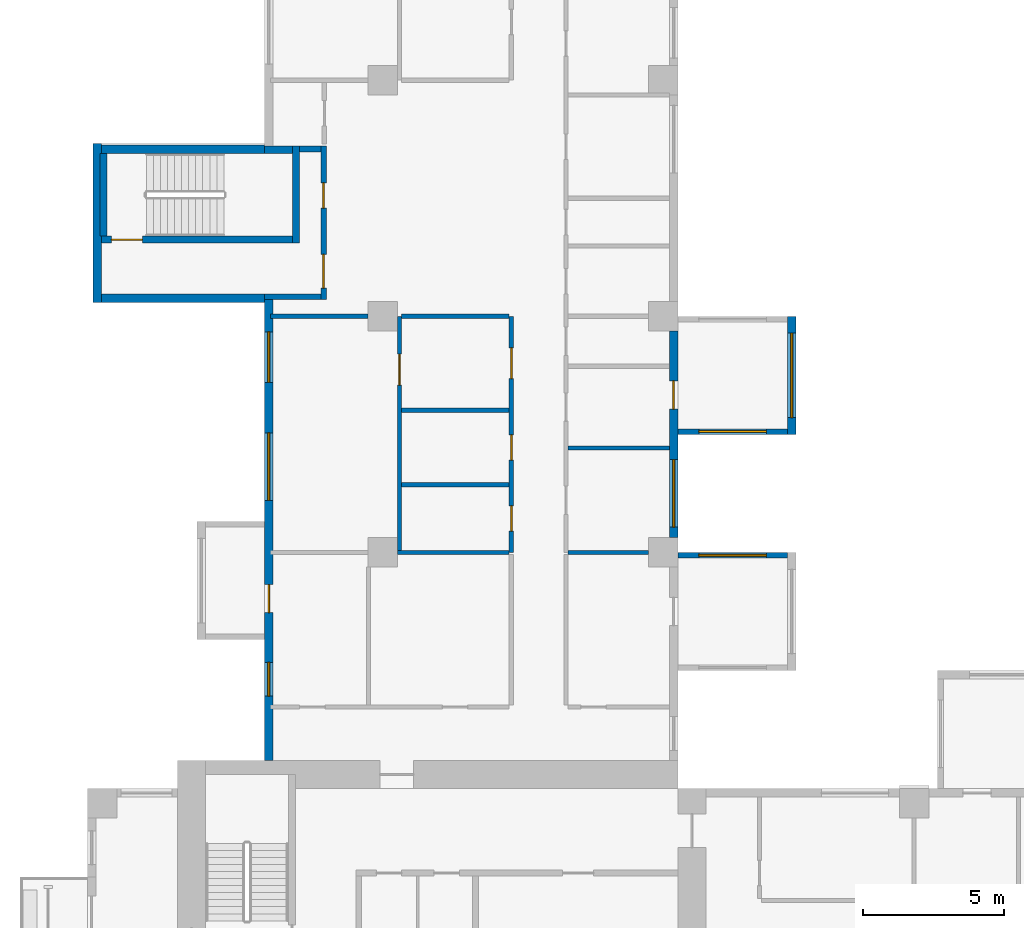
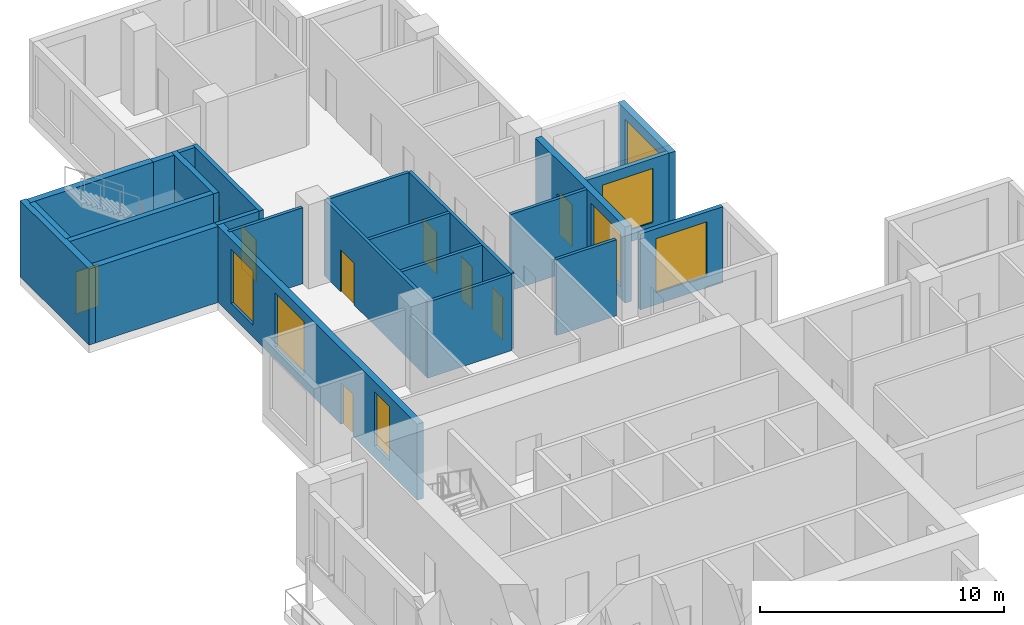
# One storey, part 6 of 14: 24 walls, 9 doors, 7 windows, 16 openings.
"""IFC4 building model written with IfcOpenShell, lengths in metres."""

from ifc_helpers import new_model, si_unit, direction, frame, frame_2d, origin, place, context, subcontext, project, spatial, rectangle, extrude, source, transform, mapped, material, layer, layer_set, type_object, element, fill, save


model = new_model("IFC4")

# Units and contexts
model_context = context("Model", 3, precision=1e-05, world=origin(), true_north=direction((0.0, 1.0)))
body_context = subcontext(model_context, "Body", "Model", "MODEL_VIEW")
ifc_project = project(units=[si_unit("LENGTHUNIT", "METRE"), si_unit("AREAUNIT", "SQUARE_METRE"), si_unit("VOLUMEUNIT", "CUBIC_METRE"), si_unit("PLANEANGLEUNIT", "RADIAN"), si_unit("MASSUNIT", "GRAM", prefix="KILO")], contexts=[model_context])

# Site, building, storey
site_placement = place(None, origin())
site = spatial("IfcSite", under=ifc_project, at=site_placement, CompositionType="ELEMENT")
building_placement = place(site_placement, origin())
building = spatial("IfcBuilding", under=site, at=building_placement, Name="Aurelian Terraces", CompositionType="ELEMENT")
storey_placement = place(building_placement, frame((0.0, 0.0, 149.7)))
storey = spatial("IfcBuildingStorey", under=building, at=storey_placement, Name="L33", CompositionType="ELEMENT", Elevation=149.7)

# Wall, opening, window
ifc_material_1 = material(Name="Concrete fc' 40 MPa", Category="concrete")
ifc_layer_1 = layer(ifc_material_1, 0.2)
ifc_layer_set_1 = layer_set([ifc_layer_1], Name="BOX BEARING WALL 200")
wall_type_1 = type_object("IfcWallType", Name="BOX BEARING WALL 200", PredefinedType="SOLIDWALL", material=ifc_layer_set_1)
shared_shape_1 = source(origin(), body_context, "Body", "SweptSolid", [
    extrude(rectangle(XDim=3.9, YDim=0.2, at=frame_2d((1.95, 0.0))), origin(), (0.0, 0.0, 1.0), 3.79),
])
wall_1_placement = place(storey_placement, frame((21.0, 29.3, 0.0), z_axis=(0.0, 0.0, 1.0), x_axis=(1.0, 0.0, 0.0)))
wall_1 = element("IfcWall", 1, at=wall_1_placement, inside=storey, type_object=wall_type_1, Name="Box return L33 J49.2", PredefinedType="SOLIDWALL", context=body_context, shape_type="MappedRepresentation", body=[
    mapped(shared_shape_1, transform((0.0, 0.0, 0.0), scale=1.0)),
])
shared_shape_2 = source(origin(), body_context, "Body", "SweptSolid", [
    extrude(rectangle(XDim=2.4, YDim=2.7, at=frame_2d((1.2, 1.35))), frame((0.0, 0.11, 0.0), z_axis=(0.0, -1.0, 0.0), x_axis=(1.0, 0.0, 0.0)), (0.0, 0.0, 1.0), 0.22),
])
opening_1_placement = place(wall_1_placement, frame((0.75, 0.0, 0.6)))
opening_1 = element("IfcOpeningElement", 2, at=opening_1_placement, cuts=wall_1, Name="Opening W2427", PredefinedType="OPENING", context=body_context, shape_type="MappedRepresentation", body=[
    mapped(shared_shape_2, transform((0.0, 0.0, 0.0), scale=1.0)),
])
ifc_material_2 = material(Name="Clear glazing", Category="glass")
window_type_1 = type_object("IfcWindowType", Name="W-2400x2700", PartitioningType="SINGLE_PANEL", PredefinedType="WINDOW", material=ifc_material_2)
shared_shape_3 = source(origin(), body_context, "Body", "SweptSolid", [
    extrude(rectangle(XDim=2.4, YDim=2.7, at=frame_2d((1.2, 1.35))), frame((0.0, 0.03, 0.0), z_axis=(0.0, -1.0, 0.0), x_axis=(1.0, 0.0, 0.0)), (0.0, 0.0, 1.0), 0.06),
])
window_1_placement = place(opening_1_placement, origin())
window_1 = element("IfcWindow", 3, at=window_1_placement, inside=storey, type_object=window_type_1, Name="Window L33 J49-S2", OverallHeight=2.7, OverallWidth=2.4, PartitioningType="SINGLE_PANEL", PredefinedType="WINDOW", context=body_context, shape_type="MappedRepresentation", body=[
    mapped(shared_shape_3, transform((0.0, 0.0, 0.0), scale=1.0)),
])
fill(opening_1, window_1)

shared_shape_4 = source(origin(), body_context, "Body", "SweptSolid", [
    extrude(rectangle(XDim=3.9, YDim=0.2, at=frame_2d((1.95, 0.0))), origin(), (0.0, 0.0, 1.0), 3.8),
])
wall_2_placement = place(storey_placement, frame((21.0, 33.7, 0.0), z_axis=(0.0, 0.0, 1.0), x_axis=(1.0, 0.0, 0.0)))
wall_2 = element("IfcWall", 4, at=wall_2_placement, inside=storey, type_object=wall_type_1, Name="Box return L33 J46.1", PredefinedType="SOLIDWALL", context=body_context, shape_type="MappedRepresentation", body=[
    mapped(shared_shape_4, transform((0.0, 0.0, 0.0), scale=1.0)),
])
opening_2_placement = place(wall_2_placement, frame((0.75, 0.0, 0.6)))
opening_2 = element("IfcOpeningElement", 5, at=opening_2_placement, cuts=wall_2, Name="Opening W2427", PredefinedType="OPENING", context=body_context, shape_type="MappedRepresentation", body=[
    mapped(shared_shape_2, transform((0.0, 0.0, 0.0), scale=1.0)),
])
window_2_placement = place(opening_2_placement, origin())
window_2 = element("IfcWindow", 6, at=window_2_placement, inside=storey, type_object=window_type_1, Name="Window L33 J46-S1", OverallHeight=2.7, OverallWidth=2.4, PartitioningType="SINGLE_PANEL", PredefinedType="WINDOW", context=body_context, shape_type="MappedRepresentation", body=[
    mapped(shared_shape_3, transform((0.0, 0.0, 0.0), scale=1.0)),
])
fill(opening_2, window_2)

ifc_layer_2 = layer(ifc_material_1, 0.3)
ifc_layer_set_2 = layer_set([ifc_layer_2], Name="BOX BEARING WALL 300")
wall_type_2 = type_object("IfcWallType", Name="BOX BEARING WALL 300", PredefinedType="SOLIDWALL", material=ifc_layer_set_2)
shared_shape_5 = source(origin(), body_context, "Body", "SweptSolid", [
    extrude(rectangle(XDim=4.2, YDim=0.3, at=frame_2d((2.1, 0.0))), origin(), (0.0, 0.0, 1.0), 3.8),
])
wall_3_placement = place(storey_placement, frame((25.05, 33.6, 0.0), z_axis=(0.0, 0.0, 1.0), x_axis=(0.0, 1.0, 0.0)))
wall_3 = element("IfcWall", 7, at=wall_3_placement, inside=storey, type_object=wall_type_2, Name="Box wall L33 J46", PredefinedType="SOLIDWALL", context=body_context, shape_type="MappedRepresentation", body=[
    mapped(shared_shape_5, transform((0.0, 0.0, 0.0), scale=1.0)),
])
shared_shape_6 = source(origin(), body_context, "Body", "SweptSolid", [
    extrude(rectangle(XDim=3.0, YDim=2.7, at=frame_2d((1.5, 1.35))), frame((0.0, 0.16, 0.0), z_axis=(0.0, -1.0, 0.0), x_axis=(1.0, 0.0, 0.0)), (0.0, 0.0, 1.0), 0.32),
])
opening_3_placement = place(wall_3_placement, frame((0.6, 0.0, 0.6)))
opening_3 = element("IfcOpeningElement", 8, at=opening_3_placement, cuts=wall_3, Name="Opening W3027", PredefinedType="OPENING", context=body_context, shape_type="MappedRepresentation", body=[
    mapped(shared_shape_6, transform((0.0, 0.0, 0.0), scale=1.0)),
])
window_type_2 = type_object("IfcWindowType", Name="W-3000x2700", PartitioningType="SINGLE_PANEL", PredefinedType="WINDOW", material=ifc_material_2)
shared_shape_7 = source(origin(), body_context, "Body", "SweptSolid", [
    extrude(rectangle(XDim=3.0, YDim=2.7, at=frame_2d((1.5, 1.35))), frame((0.0, 0.03, 0.0), z_axis=(0.0, -1.0, 0.0), x_axis=(1.0, 0.0, 0.0)), (0.0, 0.0, 1.0), 0.06),
])
window_3_placement = place(opening_3_placement, origin())
window_3 = element("IfcWindow", 9, at=window_3_placement, inside=storey, type_object=window_type_2, Name="Window L33 J46-F1", OverallHeight=2.7, OverallWidth=3.0, PartitioningType="SINGLE_PANEL", PredefinedType="WINDOW", context=body_context, shape_type="MappedRepresentation", body=[
    mapped(shared_shape_7, transform((0.0, 0.0, 0.0), scale=1.0)),
])
fill(opening_3, window_3)

# Wall, openings, window, door
ifc_material_3 = material(Name="Terracotta rainscreen cladding", Category="masonry")
ifc_layer_3 = layer(ifc_material_3, 0.3)
ifc_layer_set_3 = layer_set([ifc_layer_3], Name="EW-300")
wall_type_3 = type_object("IfcWallType", Name="EW-300", PredefinedType="STANDARD", material=ifc_layer_set_3)
shared_shape_8 = source(origin(), body_context, "Body", "SweptSolid", [
    extrude(rectangle(XDim=7.35, YDim=0.3, at=frame_2d((3.675, 0.0))), origin(), (0.0, 0.0, 1.0), 3.8),
])
wall_4_placement = place(storey_placement, frame((20.85, 29.925, 0.0), z_axis=(0.0, 0.0, 1.0), x_axis=(0.0, 1.0, 0.0)))
wall_4 = element("IfcWall", 10, at=wall_4_placement, inside=storey, type_object=wall_type_3, Name="External wall L33 F12.25", PredefinedType="STANDARD", context=body_context, shape_type="MappedRepresentation", body=[
    mapped(shared_shape_8, transform((0.0, 0.0, 0.0), scale=1.0)),
])
shared_shape_9 = source(origin(), body_context, "Body", "SweptSolid", [
    extrude(rectangle(XDim=2.4, YDim=2.7, at=frame_2d((1.2, 1.35))), frame((0.0, 0.16, 0.0), z_axis=(0.0, -1.0, 0.0), x_axis=(1.0, 0.0, 0.0)), (0.0, 0.0, 1.0), 0.32),
])
opening_4_placement = place(wall_4_placement, frame((0.375, 0.0, 0.6)))
opening_4 = element("IfcOpeningElement", 11, at=opening_4_placement, cuts=wall_4, Name="Opening W2427", PredefinedType="OPENING", context=body_context, shape_type="MappedRepresentation", body=[
    mapped(shared_shape_9, transform((0.0, 0.0, 0.0), scale=1.0)),
])
shared_shape_10 = source(origin(), body_context, "Body", "SweptSolid", [
    extrude(rectangle(XDim=1.0, YDim=2.1, at=frame_2d((0.5, 1.05))), frame((0.0, 0.16, 0.0), z_axis=(0.0, -1.0, 0.0), x_axis=(1.0, 0.0, 0.0)), (0.0, 0.0, 1.0), 0.32),
])
opening_5_placement = place(wall_4_placement, frame((4.575, 0.0, 0.0)))
opening_5 = element("IfcOpeningElement", 12, at=opening_5_placement, cuts=wall_4, Name="Opening 833002", PredefinedType="OPENING", context=body_context, shape_type="MappedRepresentation", body=[
    mapped(shared_shape_10, transform((0.0, 0.0, 0.0), scale=1.0)),
])
window_4_placement = place(opening_4_placement, origin())
window_4 = element("IfcWindow", 13, at=window_4_placement, inside=storey, type_object=window_type_1, Name="Window L33 L33-F12-25-0", OverallHeight=2.7, OverallWidth=2.4, PartitioningType="SINGLE_PANEL", PredefinedType="WINDOW", context=body_context, shape_type="MappedRepresentation", body=[
    mapped(shared_shape_3, transform((0.0, 0.0, 0.0), scale=1.0)),
])
fill(opening_4, window_4)
ifc_material_4 = material(Name="Timber door leaf", Category="wood")
door_type_1 = type_object("IfcDoorType", Name="Room door 1000x2100 left", OperationType="SINGLE_SWING_LEFT", PredefinedType="DOOR", material=ifc_material_4)
shared_shape_11 = source(origin(), body_context, "Body", "SweptSolid", [
    extrude(rectangle(XDim=1.0, YDim=2.1, at=frame_2d((0.5, 1.05))), frame((0.0, 0.025, 0.0), z_axis=(0.0, -1.0, 0.0), x_axis=(1.0, 0.0, 0.0)), (0.0, 0.0, 1.0), 0.05),
])
door_1_placement = place(opening_5_placement, origin())
door_1 = element("IfcDoor", 14, at=door_1_placement, inside=storey, type_object=door_type_1, Name="Door 833002", OperationType="SINGLE_SWING_LEFT", OverallHeight=2.1, OverallWidth=1.0, PredefinedType="DOOR", context=body_context, shape_type="MappedRepresentation", body=[
    mapped(shared_shape_11, transform((0.0, 0.0, 0.0), scale=1.0)),
])
fill(opening_5, door_1)

# Walls
ifc_layer_4 = layer(ifc_material_1, 0.3)
ifc_layer_set_4 = layer_set([ifc_layer_4], Name="STAIR BAY WALL 300")
wall_type_4 = type_object("IfcWallType", Name="STAIR BAY WALL 300", PredefinedType="SOLIDWALL", material=ifc_layer_set_4)
shared_shape_12 = source(origin(), body_context, "Body", "SweptSolid", [
    extrude(rectangle(XDim=6.1, YDim=0.3, at=frame_2d((3.05, 0.0))), origin(), (0.0, 0.0, 1.0), 3.8),
])
for number, where, z_axis, x_axis, name in (
    (15, (6.3, 43.75, 0.0), (0.0, 0.0, 1.0), (-1.0, 0.0, 0.0), "Stair bay wall L33 F17.33"),
    (16, (0.2, 38.45, 0.0), (0.0, 0.0, 1.0), (1.0, 0.0, 0.0), "Stair bay wall L33 F19.35"),
):
    element("IfcWall", number, at=place(storey_placement, frame(where, z_axis=z_axis, x_axis=x_axis)), inside=storey, type_object=wall_type_4, Name=name, PredefinedType="SOLIDWALL", context=body_context, shape_type="MappedRepresentation", body=[
        mapped(shared_shape_12, transform((0.0, 0.0, 0.0), scale=1.0)),
    ])
shared_shape_13 = source(origin(), body_context, "Body", "SweptSolid", [
    extrude(rectangle(XDim=5.65, YDim=0.3, at=frame_2d((2.825, 0.0))), origin(), (0.0, 0.0, 1.0), 3.8),
])
wall_5_placement = place(storey_placement, frame((0.35, 43.95, 0.0), z_axis=(0.0, 0.0, 1.0), x_axis=(0.0, -1.0, 0.0)))
element("IfcWall", 17, at=wall_5_placement, inside=storey, type_object=wall_type_4, Name="Stair bay wall L33 F18.34", PredefinedType="SOLIDWALL", context=body_context, shape_type="MappedRepresentation", body=[
    mapped(shared_shape_13, transform((0.0, 0.0, 0.0), scale=1.0)),
])

# Wall, openings, windows, door
shared_shape_14 = source(origin(), body_context, "Body", "SweptSolid", [
    extrude(rectangle(XDim=16.4, YDim=0.3, at=frame_2d((8.2, 0.0))), origin(), (0.0, 0.0, 1.0), 3.8),
])
wall_6_placement = place(storey_placement, frame((6.45, 38.4, 0.0), z_axis=(0.0, 0.0, 1.0), x_axis=(0.0, -1.0, 0.0)))
wall_6 = element("IfcWall", 18, at=wall_6_placement, inside=storey, type_object=wall_type_3, Name="External wall L33 F20.36", PredefinedType="STANDARD", context=body_context, shape_type="MappedRepresentation", body=[
    mapped(shared_shape_14, transform((0.0, 0.0, 0.0), scale=1.0)),
])
shared_shape_15 = source(origin(), body_context, "Body", "SweptSolid", [
    extrude(rectangle(XDim=1.8, YDim=2.7, at=frame_2d((0.9, 1.35))), frame((0.0, 0.16, 0.0), z_axis=(0.0, -1.0, 0.0), x_axis=(1.0, 0.0, 0.0)), (0.0, 0.0, 1.0), 0.32),
])
opening_6_placement = place(wall_6_placement, frame((1.15, 0.0, 0.6)))
opening_6 = element("IfcOpeningElement", 19, at=opening_6_placement, cuts=wall_6, Name="Opening W1827", PredefinedType="OPENING", context=body_context, shape_type="MappedRepresentation", body=[
    mapped(shared_shape_15, transform((0.0, 0.0, 0.0), scale=1.0)),
])
opening_7_placement = place(wall_6_placement, frame((4.75, 0.0, 0.6)))
opening_7 = element("IfcOpeningElement", 20, at=opening_7_placement, cuts=wall_6, Name="Opening W2427", PredefinedType="OPENING", context=body_context, shape_type="MappedRepresentation", body=[
    mapped(shared_shape_9, transform((0.0, 0.0, 0.0), scale=1.0)),
])
shared_shape_16 = source(origin(), body_context, "Body", "SweptSolid", [
    extrude(rectangle(XDim=1.2, YDim=2.7, at=frame_2d((0.6, 1.35))), frame((0.0, 0.16, 0.0), z_axis=(0.0, -1.0, 0.0), x_axis=(1.0, 0.0, 0.0)), (0.0, 0.0, 1.0), 0.32),
])
opening_8_placement = place(wall_6_placement, frame((12.9125, 0.0, 0.6)))
opening_8 = element("IfcOpeningElement", 21, at=opening_8_placement, cuts=wall_6, Name="Opening W1227", PredefinedType="OPENING", context=body_context, shape_type="MappedRepresentation", body=[
    mapped(shared_shape_16, transform((0.0, 0.0, 0.0), scale=1.0)),
])
opening_9_placement = place(wall_6_placement, frame((10.1417, 0.0, 0.0)))
opening_9 = element("IfcOpeningElement", 22, at=opening_9_placement, cuts=wall_6, Name="Opening 833006", PredefinedType="OPENING", context=body_context, shape_type="MappedRepresentation", body=[
    mapped(shared_shape_10, transform((0.0, 0.0, 0.0), scale=1.0)),
])
window_5_placement = place(opening_7_placement, origin())
window_5 = element("IfcWindow", 23, at=window_5_placement, inside=storey, type_object=window_type_1, Name="Window L33 L33-F20-36-1", OverallHeight=2.7, OverallWidth=2.4, PartitioningType="SINGLE_PANEL", PredefinedType="WINDOW", context=body_context, shape_type="MappedRepresentation", body=[
    mapped(shared_shape_3, transform((0.0, 0.0, 0.0), scale=1.0)),
])
fill(opening_7, window_5)
window_type_3 = type_object("IfcWindowType", Name="W-1800x2700", PartitioningType="SINGLE_PANEL", PredefinedType="WINDOW", material=ifc_material_2)
shared_shape_17 = source(origin(), body_context, "Body", "SweptSolid", [
    extrude(rectangle(XDim=1.8, YDim=2.7, at=frame_2d((0.9, 1.35))), frame((0.0, 0.03, 0.0), z_axis=(0.0, -1.0, 0.0), x_axis=(1.0, 0.0, 0.0)), (0.0, 0.0, 1.0), 0.06),
])
window_6_placement = place(opening_6_placement, origin())
window_6 = element("IfcWindow", 24, at=window_6_placement, inside=storey, type_object=window_type_3, Name="Window L33 L33-F20-36-0", OverallHeight=2.7, OverallWidth=1.8, PartitioningType="SINGLE_PANEL", PredefinedType="WINDOW", context=body_context, shape_type="MappedRepresentation", body=[
    mapped(shared_shape_17, transform((0.0, 0.0, 0.0), scale=1.0)),
])
fill(opening_6, window_6)
window_type_4 = type_object("IfcWindowType", Name="W-1200x2700", PartitioningType="SINGLE_PANEL", PredefinedType="WINDOW", material=ifc_material_2)
shared_shape_18 = source(origin(), body_context, "Body", "SweptSolid", [
    extrude(rectangle(XDim=1.2, YDim=2.7, at=frame_2d((0.6, 1.35))), frame((0.0, 0.03, 0.0), z_axis=(0.0, -1.0, 0.0), x_axis=(1.0, 0.0, 0.0)), (0.0, 0.0, 1.0), 0.06),
])
window_7_placement = place(opening_8_placement, origin())
window_7 = element("IfcWindow", 25, at=window_7_placement, inside=storey, type_object=window_type_4, Name="Window L33 L33-F20-36-3", OverallHeight=2.7, OverallWidth=1.2, PartitioningType="SINGLE_PANEL", PredefinedType="WINDOW", context=body_context, shape_type="MappedRepresentation", body=[
    mapped(shared_shape_18, transform((0.0, 0.0, 0.0), scale=1.0)),
])
fill(opening_8, window_7)
door_2_placement = place(opening_9_placement, origin())
door_2 = element("IfcDoor", 26, at=door_2_placement, inside=storey, type_object=door_type_1, Name="Door 833006", OperationType="SINGLE_SWING_LEFT", OverallHeight=2.1, OverallWidth=1.0, PredefinedType="DOOR", context=body_context, shape_type="MappedRepresentation", body=[
    mapped(shared_shape_11, transform((0.0, 0.0, 0.0), scale=1.0)),
])
fill(opening_9, door_2)

# Wall, opening, door
ifc_layer_5 = layer(ifc_material_1, 0.25)
ifc_layer_set_5 = layer_set([ifc_layer_5], Name="Stair enclosure wall 250")
wall_type_5 = type_object("IfcWallType", Name="Stair enclosure wall 250", PredefinedType="SOLIDWALL", material=ifc_layer_set_5)
shared_shape_19 = source(origin(), body_context, "Body", "SweptSolid", [
    extrude(rectangle(XDim=7.0, YDim=0.25, at=frame_2d((3.5, 0.0))), origin(), (0.0, 0.0, 1.0), 3.8),
])
wall_7_placement = place(storey_placement, frame((0.3, 40.525, 0.0), z_axis=(0.0, 0.0, 1.0), x_axis=(1.0, 0.0, 0.0)))
wall_7 = element("IfcWall", 27, at=wall_7_placement, inside=storey, type_object=wall_type_5, Name="L33 core wall ST-S3-W", PredefinedType="SOLIDWALL", context=body_context, shape_type="MappedRepresentation", body=[
    mapped(shared_shape_19, transform((0.0, 0.0, 0.0), scale=1.0)),
])
shared_shape_20 = source(origin(), body_context, "Body", "SweptSolid", [
    extrude(rectangle(XDim=1.1, YDim=2.1, at=frame_2d((0.55, 1.05))), frame((0.0, 0.135, 0.0), z_axis=(0.0, -1.0, 0.0), x_axis=(1.0, 0.0, 0.0)), (0.0, 0.0, 1.0), 0.27),
])
opening_10_placement = place(wall_7_placement, frame((0.55, 0.0, 0.0)))
opening_10 = element("IfcOpeningElement", 28, at=opening_10_placement, cuts=wall_7, Name="Opening 63617", PredefinedType="OPENING", context=body_context, shape_type="MappedRepresentation", body=[
    mapped(shared_shape_20, transform((0.0, 0.0, 0.0), scale=1.0)),
])
ifc_material_5 = material(Name="Steel door leaf", Category="steel")
door_type_2 = type_object("IfcDoorType", Name="Core fire door 1100x2100 right", OperationType="SINGLE_SWING_RIGHT", PredefinedType="DOOR", material=ifc_material_5)
shared_shape_21 = source(origin(), body_context, "Body", "SweptSolid", [
    extrude(rectangle(XDim=1.1, YDim=2.1, at=frame_2d((0.55, 1.05))), frame((0.0, 0.025, 0.0), z_axis=(0.0, -1.0, 0.0), x_axis=(1.0, 0.0, 0.0)), (0.0, 0.0, 1.0), 0.05),
])
door_3_placement = place(opening_10_placement, origin())
door_3 = element("IfcDoor", 29, at=door_3_placement, inside=storey, type_object=door_type_2, Name="Stair door 63617", OperationType="SINGLE_SWING_RIGHT", OverallHeight=2.1, OverallWidth=1.1, PredefinedType="DOOR", context=body_context, shape_type="MappedRepresentation", body=[
    mapped(shared_shape_21, transform((0.0, 0.0, 0.0), scale=1.0)),
])
fill(opening_10, door_3)

# Walls
shared_shape_22 = source(origin(), body_context, "Body", "SweptSolid", [
    extrude(rectangle(XDim=3.45, YDim=0.25, at=frame_2d((1.725, 0.0))), origin(), (0.0, 0.0, 1.0), 3.8),
])
wall_8_placement = place(storey_placement, frame((7.425, 40.4, 0.0), z_axis=(0.0, 0.0, 1.0), x_axis=(0.0, 1.0, 0.0)))
element("IfcWall", 30, at=wall_8_placement, inside=storey, type_object=wall_type_5, Name="L33 core wall ST-S3-N", PredefinedType="SOLIDWALL", context=body_context, shape_type="MappedRepresentation", body=[
    mapped(shared_shape_22, transform((0.0, 0.0, 0.0), scale=1.0)),
])
shared_shape_23 = source(origin(), body_context, "Body", "SweptSolid", [
    extrude(rectangle(XDim=2.95, YDim=0.25, at=frame_2d((1.475, 0.0))), origin(), (0.0, 0.0, 1.0), 3.8),
])
wall_9_placement = place(storey_placement, frame((0.575, 40.65, 0.0), z_axis=(0.0, 0.0, 1.0), x_axis=(0.0, 1.0, 0.0)))
element("IfcWall", 31, at=wall_9_placement, inside=storey, type_object=wall_type_5, Name="L33 core wall ST-S3-SS", PredefinedType="SOLIDWALL", context=body_context, shape_type="MappedRepresentation", body=[
    mapped(shared_shape_23, transform((0.0, 0.0, 0.0), scale=1.0)),
])

# Wall, openings, doors
ifc_material_6 = material(Name="Gypsum board on steel studs", Category="steel")
ifc_layer_6 = layer(ifc_material_6, 0.2)
ifc_layer_set_6 = layer_set([ifc_layer_6], Name="Core partition 200")
wall_type_6 = type_object("IfcWallType", Name="Core partition 200", PredefinedType="PARTITIONING", material=ifc_layer_set_6)
shared_shape_24 = source(origin(), body_context, "Body", "SweptSolid", [
    extrude(rectangle(XDim=5.45, YDim=0.2, at=frame_2d((2.725, 0.0))), origin(), (0.0, 0.0, 1.0), 3.8),
])
wall_10_placement = place(storey_placement, frame((8.4, 38.4, 0.0), z_axis=(0.0, 0.0, 1.0), x_axis=(0.0, 1.0, 0.0)))
wall_10 = element("IfcWall", 32, at=wall_10_placement, inside=storey, type_object=wall_type_6, Name="L33 core wall ST-S3-BN", PredefinedType="PARTITIONING", context=body_context, shape_type="MappedRepresentation", body=[
    mapped(shared_shape_24, transform((0.0, 0.0, 0.0), scale=1.0)),
])
shared_shape_25 = source(origin(), body_context, "Body", "SweptSolid", [
    extrude(rectangle(XDim=1.2, YDim=2.1, at=frame_2d((0.6, 1.05))), frame((0.0, 0.11, 0.0), z_axis=(0.0, -1.0, 0.0), x_axis=(1.0, 0.0, 0.0)), (0.0, 0.0, 1.0), 0.22),
])
opening_11_placement = place(wall_10_placement, frame((0.4, 0.0, 0.0)))
opening_11 = element("IfcOpeningElement", 33, at=opening_11_placement, cuts=wall_10, Name="Opening 63618", PredefinedType="OPENING", context=body_context, shape_type="MappedRepresentation", body=[
    mapped(shared_shape_25, transform((0.0, 0.0, 0.0), scale=1.0)),
])
shared_shape_26 = source(origin(), body_context, "Body", "SweptSolid", [
    extrude(rectangle(XDim=0.9, YDim=2.1, at=frame_2d((0.45, 1.05))), frame((0.0, 0.11, 0.0), z_axis=(0.0, -1.0, 0.0), x_axis=(1.0, 0.0, 0.0)), (0.0, 0.0, 1.0), 0.22),
])
opening_12_placement = place(wall_10_placement, frame((3.25, 0.0, 0.0)))
opening_12 = element("IfcOpeningElement", 34, at=opening_12_placement, cuts=wall_10, Name="Opening 63619", PredefinedType="OPENING", context=body_context, shape_type="MappedRepresentation", body=[
    mapped(shared_shape_26, transform((0.0, 0.0, 0.0), scale=1.0)),
])
door_type_3 = type_object("IfcDoorType", Name="Core riser door 900x2100 right", OperationType="SINGLE_SWING_RIGHT", PredefinedType="DOOR", material=ifc_material_5)
shared_shape_27 = source(origin(), body_context, "Body", "SweptSolid", [
    extrude(rectangle(XDim=0.9, YDim=2.1, at=frame_2d((0.45, 1.05))), frame((0.0, 0.025, 0.0), z_axis=(0.0, -1.0, 0.0), x_axis=(1.0, 0.0, 0.0)), (0.0, 0.0, 1.0), 0.05),
])
door_4_placement = place(opening_12_placement, origin())
door_4 = element("IfcDoor", 35, at=door_4_placement, inside=storey, type_object=door_type_3, Name="Riser door 63619", OperationType="SINGLE_SWING_RIGHT", OverallHeight=2.1, OverallWidth=0.9, PredefinedType="DOOR", context=body_context, shape_type="MappedRepresentation", body=[
    mapped(shared_shape_27, transform((0.0, 0.0, 0.0), scale=1.0)),
])
fill(opening_12, door_4)
door_type_4 = type_object("IfcDoorType", Name="Core fire door 1200x2100", OperationType="SINGLE_SWING_LEFT", PredefinedType="DOOR", material=ifc_material_5)
shared_shape_28 = source(origin(), body_context, "Body", "SweptSolid", [
    extrude(rectangle(XDim=1.2, YDim=2.1, at=frame_2d((0.6, 1.05))), frame((0.0, 0.025, 0.0), z_axis=(0.0, -1.0, 0.0), x_axis=(1.0, 0.0, 0.0)), (0.0, 0.0, 1.0), 0.05),
])
door_5_placement = place(opening_11_placement, origin())
door_5 = element("IfcDoor", 36, at=door_5_placement, inside=storey, type_object=door_type_4, Name="Vestibule door 63618", OperationType="SINGLE_SWING_LEFT", OverallHeight=2.1, OverallWidth=1.2, PredefinedType="DOOR", context=body_context, shape_type="MappedRepresentation", body=[
    mapped(shared_shape_28, transform((0.0, 0.0, 0.0), scale=1.0)),
])
fill(opening_11, door_5)

# Walls
shared_shape_29 = source(origin(), body_context, "Body", "SweptSolid", [
    extrude(rectangle(XDim=0.75, YDim=0.2, at=frame_2d((0.375, 0.0))), origin(), (0.0, 0.0, 1.0), 3.8),
])
wall_11_placement = place(storey_placement, frame((7.55, 43.75, 0.0), z_axis=(0.0, 0.0, 1.0), x_axis=(1.0, 0.0, 0.0)))
element("IfcWall", 37, at=wall_11_placement, inside=storey, type_object=wall_type_6, Name="L33 core wall ST-S3-RE", PredefinedType="PARTITIONING", context=body_context, shape_type="MappedRepresentation", body=[
    mapped(shared_shape_29, transform((0.0, 0.0, 0.0), scale=1.0)),
])
shared_shape_30 = source(origin(), body_context, "Body", "SweptSolid", [
    extrude(rectangle(XDim=1.0, YDim=0.25, at=frame_2d((0.5, 0.0))), origin(), (0.0, 0.0, 1.0), 3.8),
])
wall_12_placement = place(storey_placement, frame((6.3, 43.725, 0.0), z_axis=(0.0, 0.0, 1.0), x_axis=(1.0, 0.0, 0.0)))
element("IfcWall", 38, at=wall_12_placement, inside=storey, type_object=wall_type_5, Name="L33 core wall ST-S3-E", PredefinedType="SOLIDWALL", context=body_context, shape_type="MappedRepresentation", body=[
    mapped(shared_shape_30, transform((0.0, 0.0, 0.0), scale=1.0)),
])
shared_shape_31 = source(origin(), body_context, "Body", "SweptSolid", [
    extrude(rectangle(XDim=2.0, YDim=0.2, at=frame_2d((1.0, 0.0))), origin(), (0.0, 0.0, 1.0), 3.8),
])
wall_13_placement = place(storey_placement, frame((6.3, 38.5, 0.0), z_axis=(0.0, 0.0, 1.0), x_axis=(1.0, 0.0, 0.0)))
element("IfcWall", 39, at=wall_13_placement, inside=storey, type_object=wall_type_6, Name="L33 core wall ST-S3-VW", PredefinedType="PARTITIONING", context=body_context, shape_type="MappedRepresentation", body=[
    mapped(shared_shape_31, transform((0.0, 0.0, 0.0), scale=1.0)),
])
ifc_layer_7 = layer(ifc_material_6, 0.15)
ifc_layer_set_7 = layer_set([ifc_layer_7], Name="Partition 150")
wall_type_7 = type_object("IfcWallType", Name="Partition 150", PredefinedType="PARTITIONING", material=ifc_layer_set_7)
shared_shape_32 = source(origin(), body_context, "Body", "SweptSolid", [
    extrude(rectangle(XDim=3.6, YDim=0.15, at=frame_2d((1.8, 0.0))), origin(), (0.0, 0.0, 1.0), 3.8),
])
wall_14_placement = place(storey_placement, frame((17.1, 33.1133, 0.0), z_axis=(0.0, 0.0, 1.0), x_axis=(1.0, 0.0, 0.0)))
element("IfcWall", 40, at=wall_14_placement, inside=storey, type_object=wall_type_7, Name="Partition", PredefinedType="PARTITIONING", context=body_context, shape_type="MappedRepresentation", body=[
    mapped(shared_shape_32, transform((0.0, 0.0, 0.0), scale=1.0)),
])

# Wall, opening, door
shared_shape_33 = source(origin(), body_context, "Body", "SweptSolid", [
    extrude(rectangle(XDim=8.4, YDim=0.15, at=frame_2d((4.2, 0.0))), origin(), (0.0, 0.0, 1.0), 3.8),
])
wall_15_placement = place(storey_placement, frame((11.1, 29.4, 0.0), z_axis=(0.0, 0.0, 1.0), x_axis=(0.0, 1.0, 0.0)))
wall_15 = element("IfcWall", 41, at=wall_15_placement, inside=storey, type_object=wall_type_7, Name="Partition", PredefinedType="PARTITIONING", context=body_context, shape_type="MappedRepresentation", body=[
    mapped(shared_shape_33, transform((0.0, 0.0, 0.0), scale=1.0)),
])
shared_shape_34 = source(origin(), body_context, "Body", "SweptSolid", [
    extrude(rectangle(XDim=1.1, YDim=2.1, at=frame_2d((0.55, 1.05))), frame((0.0, 0.085, 0.0), z_axis=(0.0, -1.0, 0.0), x_axis=(1.0, 0.0, 0.0)), (0.0, 0.0, 1.0), 0.17),
])
opening_13_placement = place(wall_15_placement, frame((5.9547, 0.0, 0.0)))
opening_13 = element("IfcOpeningElement", 42, at=opening_13_placement, cuts=wall_15, Name="Opening 733026", PredefinedType="OPENING", context=body_context, shape_type="MappedRepresentation", body=[
    mapped(shared_shape_34, transform((0.0, 0.0, 0.0), scale=1.0)),
])
door_type_5 = type_object("IfcDoorType", Name="Room door 1100x2100 left", OperationType="SINGLE_SWING_LEFT", PredefinedType="DOOR", material=ifc_material_4)
door_6_placement = place(opening_13_placement, origin())
door_6 = element("IfcDoor", 43, at=door_6_placement, inside=storey, type_object=door_type_5, Name="Door 733026", OperationType="SINGLE_SWING_LEFT", OverallHeight=2.1, OverallWidth=1.1, PredefinedType="DOOR", context=body_context, shape_type="MappedRepresentation", body=[
    mapped(shared_shape_21, transform((0.0, 0.0, 0.0), scale=1.0)),
])
fill(opening_13, door_6)

# Wall, openings, doors
ifc_layer_8 = layer(ifc_material_6, 0.15)
ifc_layer_set_8 = layer_set([ifc_layer_8], Name="Fire partition 150")
wall_type_8 = type_object("IfcWallType", Name="Fire partition 150", PredefinedType="PARTITIONING", material=ifc_layer_set_8)
wall_16_placement = place(storey_placement, frame((15.075, 29.4, 0.0), z_axis=(0.0, 0.0, 1.0), x_axis=(0.0, 1.0, 0.0)))
wall_16 = element("IfcWall", 44, at=wall_16_placement, inside=storey, type_object=wall_type_8, Name="Corridor wall", PredefinedType="PARTITIONING", context=body_context, shape_type="MappedRepresentation", body=[
    mapped(shared_shape_33, transform((0.0, 0.0, 0.0), scale=1.0)),
])
opening_14_placement = place(wall_16_placement, frame((6.1797, 0.0, 0.0)))
opening_14 = element("IfcOpeningElement", 45, at=opening_14_placement, cuts=wall_16, Name="Opening 733025", PredefinedType="OPENING", context=body_context, shape_type="MappedRepresentation", body=[
    mapped(shared_shape_34, transform((0.0, 0.0, 0.0), scale=1.0)),
])
shared_shape_35 = source(origin(), body_context, "Body", "SweptSolid", [
    extrude(rectangle(XDim=0.9, YDim=2.1, at=frame_2d((0.45, 1.05))), frame((0.0, 0.085, 0.0), z_axis=(0.0, -1.0, 0.0), x_axis=(1.0, 0.0, 0.0)), (0.0, 0.0, 1.0), 0.17),
])
opening_15_placement = place(wall_16_placement, frame((0.7562, 0.0, 0.0)))
opening_15 = element("IfcOpeningElement", 46, at=opening_15_placement, cuts=wall_16, Name="Opening 733027", PredefinedType="OPENING", context=body_context, shape_type="MappedRepresentation", body=[
    mapped(shared_shape_35, transform((0.0, 0.0, 0.0), scale=1.0)),
])
opening_16_placement = place(wall_16_placement, frame((3.2859, 0.0, 0.0)))
opening_16 = element("IfcOpeningElement", 47, at=opening_16_placement, cuts=wall_16, Name="Opening 733028", PredefinedType="OPENING", context=body_context, shape_type="MappedRepresentation", body=[
    mapped(shared_shape_35, transform((0.0, 0.0, 0.0), scale=1.0)),
])
door_type_6 = type_object("IfcDoorType", Name="Room door 900x2100 right", OperationType="SINGLE_SWING_RIGHT", PredefinedType="DOOR", material=ifc_material_4)
door_7_placement = place(opening_15_placement, origin())
door_7 = element("IfcDoor", 48, at=door_7_placement, inside=storey, type_object=door_type_6, Name="Door 733027", OperationType="SINGLE_SWING_RIGHT", OverallHeight=2.1, OverallWidth=0.9, PredefinedType="DOOR", context=body_context, shape_type="MappedRepresentation", body=[
    mapped(shared_shape_27, transform((0.0, 0.0, 0.0), scale=1.0)),
])
fill(opening_15, door_7)
door_type_7 = type_object("IfcDoorType", Name="Room door 900x2100 left", OperationType="SINGLE_SWING_LEFT", PredefinedType="DOOR", material=ifc_material_4)
door_8_placement = place(opening_16_placement, origin())
door_8 = element("IfcDoor", 49, at=door_8_placement, inside=storey, type_object=door_type_7, Name="Door 733028", OperationType="SINGLE_SWING_LEFT", OverallHeight=2.1, OverallWidth=0.9, PredefinedType="DOOR", context=body_context, shape_type="MappedRepresentation", body=[
    mapped(shared_shape_27, transform((0.0, 0.0, 0.0), scale=1.0)),
])
fill(opening_16, door_8)
door_type_8 = type_object("IfcDoorType", Name="Room door 1100x2100 right", OperationType="SINGLE_SWING_RIGHT", PredefinedType="DOOR", material=ifc_material_4)
door_9_placement = place(opening_14_placement, origin())
door_9 = element("IfcDoor", 50, at=door_9_placement, inside=storey, type_object=door_type_8, Name="Door 733025", OperationType="SINGLE_SWING_RIGHT", OverallHeight=2.1, OverallWidth=1.1, PredefinedType="DOOR", context=body_context, shape_type="MappedRepresentation", body=[
    mapped(shared_shape_21, transform((0.0, 0.0, 0.0), scale=1.0)),
])
fill(opening_14, door_9)

# Walls
shared_shape_36 = source(origin(), body_context, "Body", "SweptSolid", [
    extrude(rectangle(XDim=3.976, YDim=0.15, at=frame_2d((1.988, 0.0))), origin(), (0.0, 0.0, 1.0), 3.8),
])
wall_17_placement = place(storey_placement, frame((15.0, 29.4, 0.0), z_axis=(0.0, 0.0, 1.0), x_axis=(-1.0, 0.0, 0.0)))
element("IfcWall", 51, at=wall_17_placement, inside=storey, type_object=wall_type_7, Name="Partition", PredefinedType="PARTITIONING", context=body_context, shape_type="MappedRepresentation", body=[
    mapped(shared_shape_36, transform((0.0, 0.0, 0.0), scale=1.0)),
])
shared_shape_37 = source(origin(), body_context, "Body", "SweptSolid", [
    extrude(rectangle(XDim=3.825, YDim=0.15, at=frame_2d((1.9125, 0.0))), origin(), (0.0, 0.0, 1.0), 3.8),
])
for number, where, z_axis, x_axis, name in (
    (52, (15.0, 31.8123, 0.0), (0.0, 0.0, 1.0), (-1.0, 0.0, 0.0), "Partition"),
    (53, (15.0, 34.4595, 0.0), (0.0, 0.0, 1.0), (-1.0, 0.0, 0.0), "Partition"),
    (54, (15.0, 37.8, 0.0), (0.0, 0.0, 1.0), (-1.0, 0.0, 0.0), "Partition"),
):
    element("IfcWall", number, at=place(storey_placement, frame(where, z_axis=z_axis, x_axis=x_axis)), inside=storey, type_object=wall_type_7, Name=name, PredefinedType="PARTITIONING", context=body_context, shape_type="MappedRepresentation", body=[
        mapped(shared_shape_37, transform((0.0, 0.0, 0.0), scale=1.0)),
    ])
shared_shape_38 = source(origin(), body_context, "Body", "SweptSolid", [
    extrude(rectangle(XDim=2.851, YDim=0.15, at=frame_2d((1.4255, 0.0))), origin(), (0.0, 0.0, 1.0), 3.8),
])
wall_18_placement = place(storey_placement, frame((19.951, 29.4, 0.0), z_axis=(0.0, 0.0, 1.0), x_axis=(-1.0, 0.0, 0.0)))
element("IfcWall", 55, at=wall_18_placement, inside=storey, type_object=wall_type_7, Name="Partition", PredefinedType="PARTITIONING", context=body_context, shape_type="MappedRepresentation", body=[
    mapped(shared_shape_38, transform((0.0, 0.0, 0.0), scale=1.0)),
])
shared_shape_39 = source(origin(), body_context, "Body", "SweptSolid", [
    extrude(rectangle(XDim=3.471, YDim=0.15, at=frame_2d((1.7355, 0.0))), origin(), (0.0, 0.0, 1.0), 3.8),
])
wall_19_placement = place(storey_placement, frame((9.976, 37.8, 0.0), z_axis=(0.0, 0.0, 1.0), x_axis=(-1.0, 0.0, 0.0)))
element("IfcWall", 56, at=wall_19_placement, inside=storey, type_object=wall_type_7, Name="Partition", PredefinedType="PARTITIONING", context=body_context, shape_type="MappedRepresentation", body=[
    mapped(shared_shape_39, transform((0.0, 0.0, 0.0), scale=1.0)),
])

save(model, "model.ifc")
